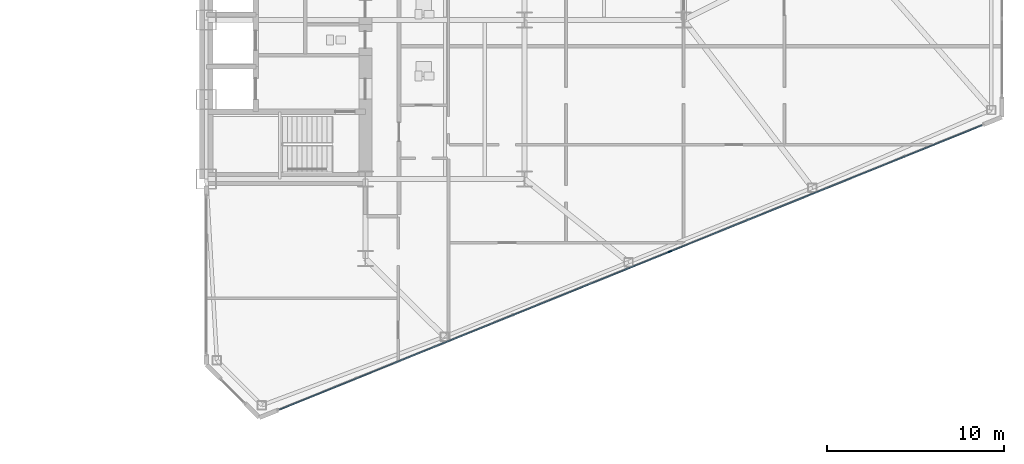
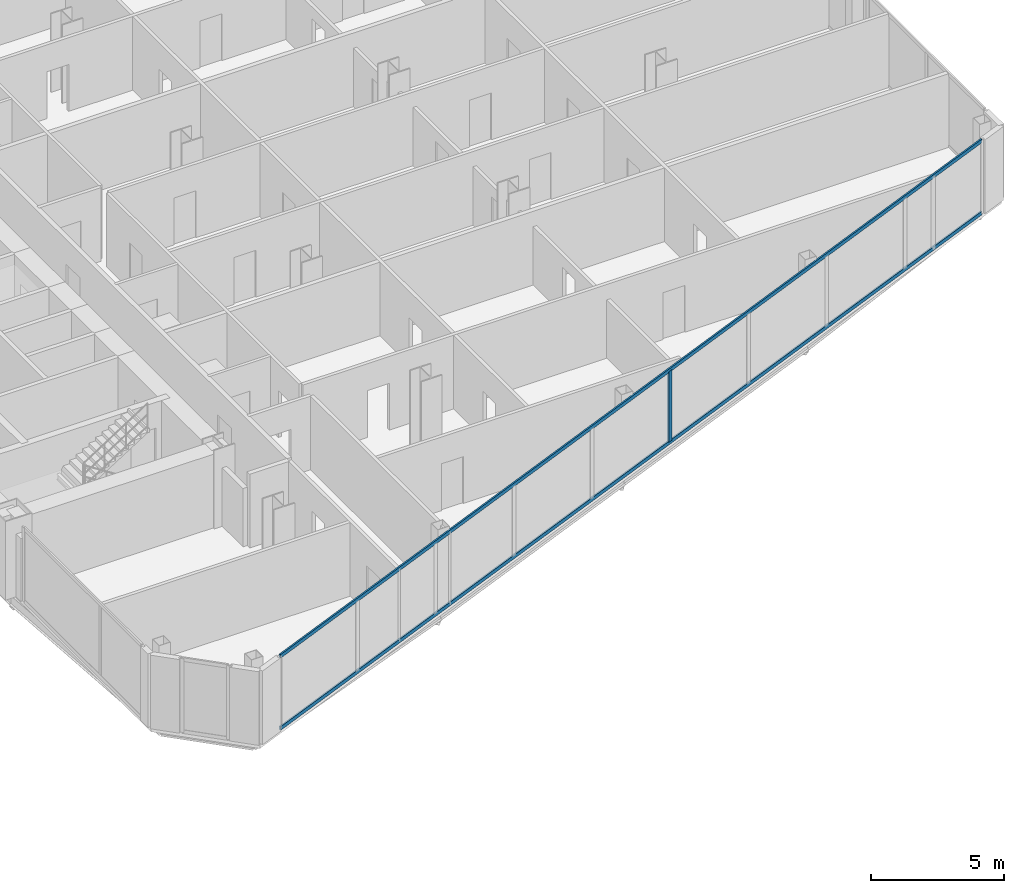
# One storey, part 10 of 25: 3 members, 1 element without a shape of its own.
"""IFC4 building model written with IfcOpenShell, lengths in metres."""

from ifc_helpers import new_model, si_unit, direction, frame, origin, origin_2d, place, context, subcontext, project, spatial, rectangle, extrude, source, transform, mapped, material, layer, layer_set, material_profile, profile_set, type_object, type_shapes, element, aggregate, save


model = new_model("IFC4")

# Units and contexts
model_context = context("Model", 3, precision=1e-05, world=origin(), true_north=direction((0.0, 1.0)))
body_context = subcontext(model_context, "Body", "Model", "MODEL_VIEW")
ifc_project = project(units=[si_unit("LENGTHUNIT", "METRE"), si_unit("AREAUNIT", "SQUARE_METRE"), si_unit("VOLUMEUNIT", "CUBIC_METRE"), si_unit("PLANEANGLEUNIT", "RADIAN"), si_unit("MASSUNIT", "GRAM", prefix="KILO")], contexts=[model_context])

# Site, building, storey
site_placement = place(None, origin())
site = spatial("IfcSite", under=ifc_project, at=site_placement, CompositionType="ELEMENT")
building_placement = place(site_placement, origin())
building = spatial("IfcBuilding", under=site, at=building_placement, Name="Seokmaru Belvedere", CompositionType="ELEMENT")
storey_placement = place(building_placement, frame((0.0, 0.0, 33.300048828125)))
storey = spatial("IfcBuildingStorey", under=building, at=storey_placement, Name="L08", CompositionType="ELEMENT", Elevation=33.300048828125)

# Curtain wall, members
ifc_material_1 = material(Name="Bronze Triple Insulating Glass", Category="glass")
ifc_layer = layer(ifc_material_1, 0.2099609375)
ifc_layer_set = layer_set([ifc_layer], Name="Bronze Triple Insulating Glass")
curtain_wall_type = type_object("IfcCurtainWallType", Name="Low-Rise Faceted Crystal Curtain Wall System CW-2", PredefinedType="NOTDEFINED", material=ifc_layer_set)
curtain_wall_placement = place(storey_placement, origin())
curtain_wall = element("IfcCurtainWall", 1, at=curtain_wall_placement, inside=storey, type_object=curtain_wall_type, Name="L08 Curtain Wall EF1", PredefinedType="NOTDEFINED")
ifc_material_2 = material(Name="Anodised Bronze Aluminium", Category="aluminium")
ifc_material_profile_1 = material_profile(ifc_material_2, rectangle(XDim=0.074951171875, YDim=0.2099609375, at=origin_2d()), Name="CW-M-75x210")
ifc_profile_set_1 = profile_set([ifc_material_profile_1], Name="Anodised Bronze Aluminium")
member_type_1 = type_object("IfcMemberType", Name="Bronze Unitised Mullion 75x210", PredefinedType="MULLION", material=ifc_profile_set_1)
shared_shape_1 = source(origin(), body_context, "Body", "SweptSolid", [
    extrude(rectangle(XDim=0.074951171875, YDim=0.2099609375, at=origin_2d()), origin(), (0.0, 0.0, 1.0), 3.239990234375),
])
type_shapes(member_type_1, [shared_shape_1])
member_1_placement = place(storey_placement, frame((53.71484375, -17.603515625, 0.070068359375), z_axis=(0.0, 0.0, 1.0), x_axis=(-0.375192321888, 0.926946989637, 0.0)))
member_1 = element("IfcMember", 2, at=member_1_placement, type_object=member_type_1, Name="CW:L08:EF1 Mullion 6", PredefinedType="MULLION", context=body_context, shape_type="MappedRepresentation", body=[
    mapped(shared_shape_1, transform((0.0, 0.0, 0.0), scale=1.0)),
])
ifc_material_profile_2 = material_profile(ifc_material_2, rectangle(XDim=0.070068359375, YDim=0.1650390625, at=origin_2d()), Name="CW-T-70x165")
ifc_profile_set_2 = profile_set([ifc_material_profile_2], Name="Anodised Bronze Aluminium")
member_type_2 = type_object("IfcMemberType", Name="Bronze Unitised Transom 70x165", PredefinedType="USERDEFINED", material=ifc_profile_set_2)
shared_shape_2 = source(origin(), body_context, "Body", "SweptSolid", [
    extrude(rectangle(XDim=0.070068359375, YDim=0.1650390625, at=origin_2d()), origin(), (0.0, 0.0, 1.0), 42.860107421875),
])
type_shapes(member_type_2, [shared_shape_2])
member_2_placement = place(storey_placement, frame((31.635498046875, -26.540283203125, 0.034912109375), z_axis=(0.926948605599, 0.375188329481, 0.0), x_axis=(-0.375188329481, 0.926948605599, 0.0)))
member_2 = element("IfcMember", 3, at=member_2_placement, type_object=member_type_2, Name="CW:L08:EF1 Continuous Transom 1", ObjectType="TRANSOM", PredefinedType="USERDEFINED", context=body_context, shape_type="MappedRepresentation", body=[
    mapped(shared_shape_2, transform((0.0, 0.0, 0.0), scale=1.0)),
])
member_3_placement = place(storey_placement, frame((31.635498046875, -26.540283203125, 3.344970703125), z_axis=(0.926948605599, 0.375188329481, 0.0), x_axis=(-0.375188329481, 0.926948605599, 0.0)))
member_3 = element("IfcMember", 4, at=member_3_placement, type_object=member_type_2, Name="CW:L08:EF1 Continuous Transom 2", ObjectType="TRANSOM", PredefinedType="USERDEFINED", context=body_context, shape_type="MappedRepresentation", body=[
    mapped(shared_shape_2, transform((0.0, 0.0, 0.0), scale=1.0)),
])
aggregate(curtain_wall, [member_1, member_2, member_3])

save(model, "model.ifc")
